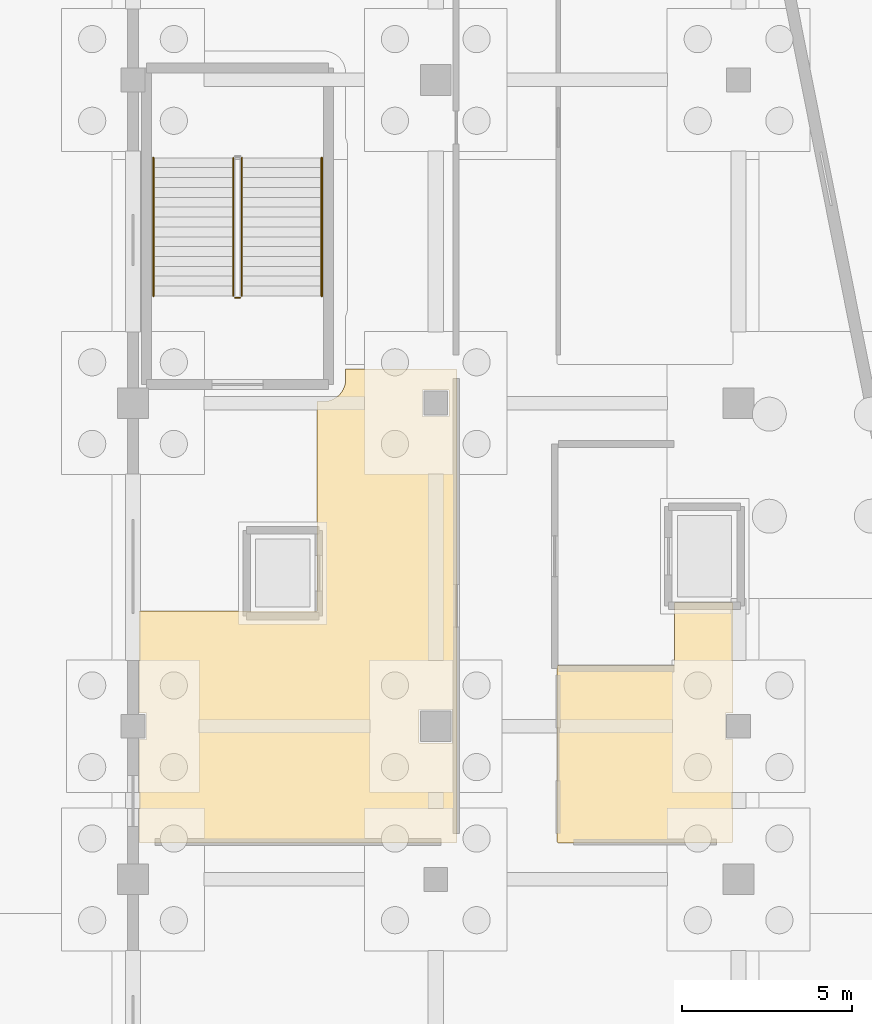
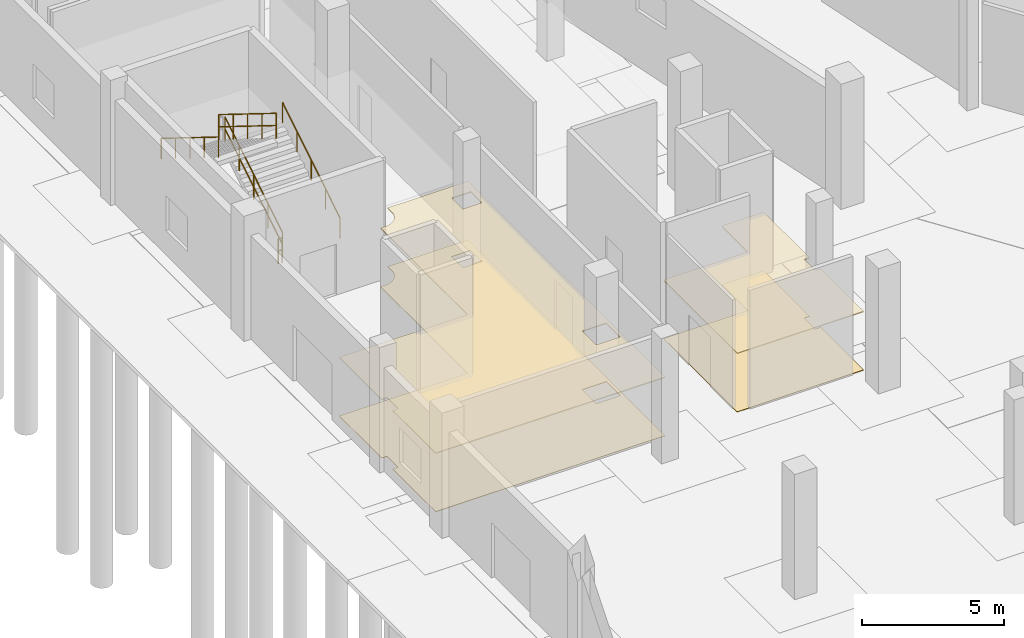
# One storey, part 47 of 68: 5 railings, 4 coverings.
"""IFC4 building model written with IfcOpenShell, lengths in metres."""

import ifcopenshell
import ifcopenshell.guid

model = None  # the IFC model being written
_history = None  # IfcOwnerHistory: only IFC2X3 demands one
_inside = {}  # id of a spatial element -> (the spatial element, [elements in it])
_under = {}  # id of a project, library or spatial element -> (it, [spatial elements below it])
_declared = {}  # id of a project -> (the project, [libraries it declares])
_typed = {}  # id of a type object -> (the type object, [elements of that type])
_made_of = {}  # id of a material, layer set ... -> (it, [elements and type objects made of it])


def new_model(schema):
    """Start an empty IFC model of exactly this schema.

    Asked for "IFC4X3", IfcOpenShell would pick the latest addendum, in which some entities
    have other attributes; the version numbers below select the first issue.
    IFC2X3 requires an IfcOwnerHistory on every rooted entity: one is made here for all.
    """
    global model, _history
    if schema == "IFC4X3":
        model = ifcopenshell.file(schema_version=(4, 3, 0, 0))
    else:
        model = ifcopenshell.file(schema=schema)
    _inside.clear()
    _under.clear()
    _declared.clear()
    _typed.clear()
    _made_of.clear()
    _history = None
    if model.schema == "IFC2X3":
        org = make("IfcOrganization", Name="unknown")
        user = make(
            "IfcPersonAndOrganization",
            ThePerson=make("IfcPerson", FamilyName="unknown"),
            TheOrganization=org,
        )
        app = make(
            "IfcApplication",
            ApplicationDeveloper=org,
            Version="unknown",
            ApplicationFullName="unknown",
            ApplicationIdentifier="unknown",
        )
        _history = make(
            "IfcOwnerHistory",
            OwningUser=user,
            OwningApplication=app,
            ChangeAction="ADDED",
            CreationDate=0,
        )
    return model


def make(cls, **values):
    """One entity of the class cls with the attributes given. An attribute that is None is left unset."""
    return model.create_entity(
        cls, **{name: value for name, value in values.items() if value is not None}
    )


def rooted(cls, **values):
    """An entity with a GlobalId (a new one), such as an element, a storey or a relation."""
    return make(cls, GlobalId=ifcopenshell.guid.new(), OwnerHistory=_history, **values)


def si_unit(unit_type, name, prefix=None):
    """IfcSIUnit, for example si_unit("LENGTHUNIT", "METRE", prefix="MILLI")."""
    return make("IfcSIUnit", UnitType=unit_type, Prefix=prefix, Name=name)


def assignment(units):
    """IfcUnitAssignment: the units of a project."""
    return None if units is None else make("IfcUnitAssignment", Units=units)


def point(xyz):
    """IfcCartesianPoint."""
    return None if xyz is None else make("IfcCartesianPoint", Coordinates=xyz)


def direction(xyz):
    """IfcDirection."""
    return None if xyz is None else make("IfcDirection", DirectionRatios=xyz)


def frame(location, z_axis=None, x_axis=None):
    """IfcAxis2Placement3D, a coordinate frame: its origin and axes. An axis left out is left unset."""
    return make(
        "IfcAxis2Placement3D",
        Location=point(location),
        Axis=direction(z_axis),
        RefDirection=direction(x_axis),
    )


def frame_2d(location, x_axis=None):
    """IfcAxis2Placement2D, a coordinate frame in the plane: its origin and x axis."""
    return make(
        "IfcAxis2Placement2D", Location=point(location), RefDirection=direction(x_axis)
    )


def origin():
    """The frame at (0, 0, 0) with its axes left unset."""
    return frame((0.0, 0.0, 0.0))


def origin_2d():
    """The frame at (0, 0) in the plane with its x axis left unset."""
    return frame_2d((0.0, 0.0))


def place(relative_to, where):
    """IfcLocalPlacement: puts the frame where relative to a parent placement (None: the world)."""
    return make(
        "IfcLocalPlacement", PlacementRelTo=relative_to, RelativePlacement=where
    )


def context(
    kind, dimensions, precision=None, world=None, true_north=None, identifier=None
):
    """IfcGeometricRepresentationContext, for example the 3D "Model" context."""
    return make(
        "IfcGeometricRepresentationContext",
        ContextIdentifier=identifier,
        ContextType=kind,
        CoordinateSpaceDimension=dimensions,
        Precision=precision,
        WorldCoordinateSystem=world,
        TrueNorth=true_north,
    )


def subcontext(parent, identifier, kind, view, scale=None):
    """IfcGeometricRepresentationSubContext, for example "Body" below "Model"."""
    return make(
        "IfcGeometricRepresentationSubContext",
        ContextIdentifier=identifier,
        ContextType=kind,
        ParentContext=parent,
        TargetScale=scale,
        TargetView=view,
    )


def project(units=None, contexts=None):
    """IfcProject with its units and contexts."""
    return rooted(
        "IfcProject",
        Name="project",
        RepresentationContexts=contexts,
        UnitsInContext=assignment(units),
    )


def spatial(cls, under=None, at=None, **own):
    """A site, building, storey or space (cls), placed at a placement, below another one or the project."""
    s = rooted(cls, ObjectPlacement=at, **own)
    if under is not None:
        _under.setdefault(under.id(), (under, []))[1].append(s)
    return s


def polyline(points):
    """IfcPolyline through the points."""
    return make("IfcPolyline", Points=[point(p) for p in points])


def profile(cls, at=None, kind="AREA", **sizes):
    """A parametric profile (cls). Its sizes go by their IFC names, for example OverallWidth=200.0."""
    return make(cls, ProfileType=kind, Position=at, **sizes)


def circle(**sizes):
    """IfcCircleProfileDef."""
    return profile("IfcCircleProfileDef", **sizes)


def outline(outer, holes=None, kind="AREA"):
    """IfcArbitraryClosedProfileDef: a profile drawn as a closed curve; with holes, ...WithVoids."""
    if holes is None:
        return make("IfcArbitraryClosedProfileDef", ProfileType=kind, OuterCurve=outer)
    return make(
        "IfcArbitraryProfileDefWithVoids",
        ProfileType=kind,
        OuterCurve=outer,
        InnerCurves=holes,
    )


def extrude(swept, where, along, depth):
    """IfcExtrudedAreaSolid: the profile swept, set in the frame where, extruded along a direction by depth."""
    return make(
        "IfcExtrudedAreaSolid",
        SweptArea=swept,
        Position=where,
        ExtrudedDirection=direction(along),
        Depth=depth,
    )


def shape(context_of_items, identifier, shape_type, items):
    """IfcShapeRepresentation: the items that make up one representation, for example the "Body"."""
    return make(
        "IfcShapeRepresentation",
        ContextOfItems=context_of_items,
        RepresentationIdentifier=identifier,
        RepresentationType=shape_type,
        Items=items,
    )


def material(Name=None, Category=None):
    """IfcMaterial."""
    return make("IfcMaterial", Name=Name, Category=Category)


def layer(
    of_material, thickness, ventilated=None, Name=None, Category=None, Priority=None
):
    """IfcMaterialLayer: one layer of a wall or slab, of a material (None: an air gap)."""
    return make(
        "IfcMaterialLayer",
        Material=of_material,
        LayerThickness=thickness,
        IsVentilated=ventilated,
        Name=Name,
        Category=Category,
        Priority=Priority,
    )


def layer_set(layers, Name=None):
    """IfcMaterialLayerSet."""
    return make("IfcMaterialLayerSet", MaterialLayers=layers, LayerSetName=Name)


def made_of(thing, what):
    """Note that an element or type object is made of a material, layer set ...; save() writes the relation."""
    if what is not None:
        _made_of.setdefault(what.id(), (what, []))[1].append(thing)
    return thing


def type_object(cls, material=None, **own):
    """A type object (cls), such as IfcWallType, which elements share."""
    return made_of(rooted(cls, **own), material)


def element(
    cls,
    number,
    at=None,
    inside=None,
    cuts=None,
    type_object=None,
    material=None,
    context=None,
    identifier="Body",
    shape_type=None,
    held_by="IfcProductDefinitionShape",
    body=None,
    shapes=None,
    **own,
):
    """One element of the class cls, such as IfcWall. Its Tag is "e" and its number.

    at: its placement. inside: the storey or other place that contains it. cuts: it is an
    opening in that element (IfcRelVoidsElement). A single representation is given by context,
    identifier, shape_type and body (its items); several are given by shapes. held_by: the class
    of the entity that holds the representations. save() writes the other relations.
    """
    e = rooted(cls, Tag="e%d" % number, ObjectPlacement=at, **own)
    if body is not None:
        shapes = [shape(context, identifier, shape_type, body)]
    if shapes is not None:
        e.Representation = make(held_by, Representations=shapes)
    if inside is not None:
        _inside.setdefault(inside.id(), (inside, []))[1].append(e)
    if cuts is not None:
        rooted(
            "IfcRelVoidsElement", RelatingBuildingElement=cuts, RelatedOpeningElement=e
        )
    if type_object is not None:
        _typed.setdefault(type_object.id(), (type_object, []))[1].append(e)
    return made_of(e, material)


def aggregate(whole, parts):
    """IfcRelAggregates: a whole, such as a stair, and the parts it consists of."""
    return rooted("IfcRelAggregates", RelatingObject=whole, RelatedObjects=parts)


def save(model, path):
    """Write the relations noted so far, then the file.

    IfcRelAggregates (storeys below a building ...), IfcRelContainedInSpatialStructure (elements
    in a storey), IfcRelDefinesByType, IfcRelAssociatesMaterial and IfcRelDeclares: one each for
    every whole, place, type object, material and project.
    """
    for whole, parts in _under.values():
        aggregate(whole, parts)
    for where, things in _inside.values():
        rooted(
            "IfcRelContainedInSpatialStructure",
            RelatedElements=things,
            RelatingStructure=where,
        )
    for kind, things in _typed.values():
        rooted("IfcRelDefinesByType", RelatedObjects=things, RelatingType=kind)
    for what, things in _made_of.values():
        rooted("IfcRelAssociatesMaterial", RelatedObjects=things, RelatingMaterial=what)
    for by, libraries in _declared.values():
        rooted("IfcRelDeclares", RelatingContext=by, RelatedDefinitions=libraries)
    model.write(path)


model = new_model("IFC4")

# Units and contexts
model_context = context("Model", 3, precision=1e-05, world=origin(), true_north=direction((0.0, 1.0)))
body_context = subcontext(model_context, "Body", "Model", "MODEL_VIEW")
ifc_project = project(units=[si_unit("LENGTHUNIT", "METRE"), si_unit("AREAUNIT", "SQUARE_METRE"), si_unit("VOLUMEUNIT", "CUBIC_METRE"), si_unit("PLANEANGLEUNIT", "RADIAN"), si_unit("MASSUNIT", "GRAM", prefix="KILO")], contexts=[model_context])

# Site, building, storey
site_placement = place(None, origin())
site = spatial("IfcSite", under=ifc_project, at=site_placement, CompositionType="ELEMENT")
building_placement = place(site_placement, origin())
building = spatial("IfcBuilding", under=site, at=building_placement, Name="Candeia Ridge Stadium", CompositionType="ELEMENT")
storey_placement = place(building_placement, origin())
storey = spatial("IfcBuildingStorey", under=building, at=storey_placement, Name="L00", CompositionType="ELEMENT", Elevation=0.0)

# Coverings
ifc_material_1 = material(Name="Perforated Acoustic Gypsum", Category="gypsum")
ifc_layer_1 = layer(ifc_material_1, 0.034912109375, Name="Perforated Acoustic Gypsum", Category="gypsum")
ifc_layer_set_1 = layer_set([ifc_layer_1], Name="Perforated Acoustic Gypsum")
covering_type_1 = type_object("IfcCoveringType", Name="Perforated Gypsum Acoustic Ceiling 35", PredefinedType="CEILING", material=ifc_layer_set_1)
covering_1_placement = place(storey_placement, frame((0.0, 0.0, 2.510009765625)))
element("IfcCovering", 1, at=covering_1_placement, inside=storey, type_object=covering_type_1, Name="Acoustic ceiling Fire Command and Stadium Control Room", PredefinedType="CEILING", context=body_context, shape_type="SweptSolid", body=[
    extrude(outline(polyline([(10.10595703125, 55.49951171875), (10.108642578125, 55.498779296875), (10.111572265625, 55.497802734375), (10.114013671875, 55.49658203125), (10.11669921875, 55.494873046875), (10.118896484375, 55.4931640625), (10.12109375, 55.4912109375), (10.123291015625, 55.489013671875), (10.125, 55.48681640625), (10.12646484375, 55.484130859375), (10.127685546875, 55.4814453125), (10.128662109375, 55.478759765625), (10.12939453125, 55.475830078125), (10.1298828125, 55.472900390625), (10.1298828125, 55.469970703125), (10.1298828125, 41.60400390625), (10.1298828125, 41.60107421875), (10.12939453125, 41.59814453125), (10.128662109375, 41.59521484375), (10.127685546875, 41.592529296875), (10.12646484375, 41.58984375), (10.125, 41.58740234375), (10.123291015625, 41.5849609375), (10.12109375, 41.582763671875), (10.118896484375, 41.580810546875), (10.11669921875, 41.5791015625), (10.114013671875, 41.577392578125), (10.111572265625, 41.576416015625), (10.108642578125, 41.5751953125), (10.10595703125, 41.57470703125), (10.102783203125, 41.57421875), (10.10009765625, 41.573974609375), (0.800048828125, 41.573974609375), (0.797119140625, 41.57421875), (0.794189453125, 41.57470703125), (0.791259765625, 41.5751953125), (0.78857421875, 41.576416015625), (0.785888671875, 41.577392578125), (0.783203125, 41.5791015625), (0.781005859375, 41.580810546875), (0.77880859375, 41.582763671875), (0.77685546875, 41.5849609375), (0.775146484375, 41.58740234375), (0.7734375, 41.58984375), (0.772216796875, 41.592529296875), (0.771240234375, 41.59521484375), (0.7705078125, 41.59814453125), (0.77001953125, 41.60107421875), (0.77001953125, 41.60400390625), (0.77001953125, 44.610107421875), (0.989990234375, 44.610107421875), (0.989990234375, 45.389892578125), (0.77001953125, 45.389892578125), (0.77001953125, 48.360107421875), (0.77001953125, 48.36279296875), (0.7705078125, 48.365966796875), (0.771240234375, 48.36865234375), (0.772216796875, 48.37158203125), (0.7734375, 48.3740234375), (0.775146484375, 48.376708984375), (0.77685546875, 48.37890625), (0.77880859375, 48.381103515625), (0.781005859375, 48.38330078125), (0.783203125, 48.385009765625), (0.785888671875, 48.386474609375), (0.78857421875, 48.3876953125), (0.791259765625, 48.388671875), (0.794189453125, 48.389404296875), (0.797119140625, 48.389892578125), (0.800048828125, 48.389892578125), (5.999267578125, 48.389892578125), (6.000732421875, 48.39013671875), (6.002197265625, 48.390380859375), (6.003173828125, 48.390380859375), (6.00390625, 48.390869140625), (6.004638671875, 48.39111328125), (6.00537109375, 48.3916015625), (6.00634765625, 48.392333984375), (6.007080078125, 48.392822265625), (6.0078125, 48.3935546875), (6.00830078125, 48.39453125), (6.0087890625, 48.395263671875), (6.00927734375, 48.39599609375), (6.009521484375, 48.39697265625), (6.009765625, 48.39794921875), (6.010009765625, 48.399169921875), (6.010009765625, 48.40087890625), (6.010009765625, 54.550048828125), (6.199951171875, 54.550048828125), (6.21728515625, 54.55029296875), (6.24658203125, 54.552001953125), (6.28076171875, 54.55517578125), (6.309814453125, 54.5595703125), (6.343505859375, 54.56640625), (6.3720703125, 54.573486328125), (6.405029296875, 54.58349609375), (6.4326171875, 54.59326171875), (6.46435546875, 54.6064453125), (6.4912109375, 54.618896484375), (6.521484375, 54.63525390625), (6.546630859375, 54.650390625), (6.5751953125, 54.66943359375), (6.598876953125, 54.68701171875), (6.62548828125, 54.708740234375), (6.647216796875, 54.728515625), (6.67138671875, 54.752685546875), (6.691162109375, 54.774658203125), (6.712890625, 54.80126953125), (6.730712890625, 54.82470703125), (6.74951171875, 54.853515625), (6.764892578125, 54.878662109375), (6.781005859375, 54.908935546875), (6.793701171875, 54.935546875), (6.806640625, 54.96728515625), (6.816650390625, 54.9951171875), (6.82666015625, 55.02783203125), (6.833740234375, 55.056396484375), (6.84033203125, 55.090087890625), (6.8447265625, 55.119140625), (6.84814453125, 55.1533203125), (6.849609375, 55.182861328125), (6.85009765625, 55.199951171875), (6.85009765625, 55.5), (10.10009765625, 55.5), (10.102783203125, 55.5), (10.10595703125, 55.49951171875)]), holes=[polyline([(9.989990234375, 45.489990234375), (9.010009765625, 45.489990234375), (9.010009765625, 44.510009765625), (9.989990234375, 44.510009765625), (9.989990234375, 45.489990234375)]), polyline([(9.110107421875, 54.889892578125), (9.110107421875, 54.110107421875), (9.889892578125, 54.110107421875), (9.889892578125, 54.889892578125), (9.110107421875, 54.889892578125)])]), origin(), (0.0, 0.0, 1.0), 0.0400390625),
])
covering_2_placement = place(storey_placement, frame((0.0, 0.0, 2.510009765625)))
element("IfcCovering", 2, at=covering_2_placement, inside=storey, type_object=covering_type_1, Name="Acoustic ceiling Fire Command and Stadium Control Room Annex", PredefinedType="CEILING", context=body_context, shape_type="SweptSolid", body=[
    extrude(outline(polyline([(18.2294921875, 41.59814453125), (18.228759765625, 41.59521484375), (18.227783203125, 41.592529296875), (18.2265625, 41.58984375), (18.224853515625, 41.58740234375), (18.22314453125, 41.5849609375), (18.22119140625, 41.582763671875), (18.218994140625, 41.580810546875), (18.216796875, 41.5791015625), (18.214111328125, 41.577392578125), (18.21142578125, 41.576416015625), (18.208740234375, 41.5751953125), (18.205810546875, 41.57470703125), (18.202880859375, 41.57421875), (18.199951171875, 41.573974609375), (13.10009765625, 41.573974609375), (13.09716796875, 41.57421875), (13.093994140625, 41.57470703125), (13.09130859375, 41.5751953125), (13.08837890625, 41.576416015625), (13.0859375, 41.577392578125), (13.083251953125, 41.5791015625), (13.0810546875, 41.580810546875), (13.078857421875, 41.582763671875), (13.076904296875, 41.5849609375), (13.0751953125, 41.58740234375), (13.073486328125, 41.58984375), (13.072265625, 41.592529296875), (13.0712890625, 41.59521484375), (13.070556640625, 41.59814453125), (13.070068359375, 41.60107421875), (13.070068359375, 41.60400390625), (13.070068359375, 46.760009765625), (13.070068359375, 46.762939453125), (13.070556640625, 46.765869140625), (13.0712890625, 46.768798828125), (13.072265625, 46.771484375), (13.073486328125, 46.774169921875), (13.0751953125, 46.776611328125), (13.076904296875, 46.779052734375), (13.078857421875, 46.78125), (13.0810546875, 46.783203125), (13.083251953125, 46.784912109375), (13.0859375, 46.78662109375), (13.08837890625, 46.78759765625), (13.09130859375, 46.788818359375), (13.093994140625, 46.789306640625), (13.09716796875, 46.789794921875), (13.10009765625, 46.7900390625), (16.499267578125, 46.7900390625), (16.500732421875, 46.7900390625), (16.502197265625, 46.790283203125), (16.503173828125, 46.79052734375), (16.50390625, 46.790771484375), (16.504638671875, 46.791259765625), (16.50537109375, 46.79150390625), (16.50634765625, 46.792236328125), (16.507080078125, 46.79296875), (16.5078125, 46.793701171875), (16.50830078125, 46.794677734375), (16.5087890625, 46.79541015625), (16.50927734375, 46.796142578125), (16.509521484375, 46.796875), (16.509765625, 46.7978515625), (16.510009765625, 46.79931640625), (16.510009765625, 46.80078125), (16.510009765625, 48.610107421875), (16.510009765625, 48.61279296875), (16.510498046875, 48.615966796875), (16.51123046875, 48.61865234375), (16.51220703125, 48.62158203125), (16.513427734375, 48.6240234375), (16.51513671875, 48.626708984375), (16.516845703125, 48.62890625), (16.518798828125, 48.631103515625), (16.52099609375, 48.63330078125), (16.523193359375, 48.635009765625), (16.52587890625, 48.636474609375), (16.528564453125, 48.6376953125), (16.53125, 48.638671875), (16.5341796875, 48.639404296875), (16.537109375, 48.639892578125), (16.5400390625, 48.639892578125), (18.199951171875, 48.639892578125), (18.202880859375, 48.639892578125), (18.205810546875, 48.639404296875), (18.208740234375, 48.638671875), (18.21142578125, 48.6376953125), (18.214111328125, 48.636474609375), (18.216796875, 48.635009765625), (18.218994140625, 48.63330078125), (18.22119140625, 48.631103515625), (18.22314453125, 48.62890625), (18.224853515625, 48.626708984375), (18.2265625, 48.6240234375), (18.227783203125, 48.62158203125), (18.228759765625, 48.61865234375), (18.2294921875, 48.615966796875), (18.22998046875, 48.61279296875), (18.22998046875, 48.610107421875), (18.22998046875, 45.389892578125), (18.010009765625, 45.389892578125), (18.010009765625, 44.610107421875), (18.22998046875, 44.610107421875), (18.22998046875, 41.60400390625), (18.22998046875, 41.60107421875), (18.2294921875, 41.59814453125)])), origin(), (0.0, 0.0, 1.0), 0.0400390625),
])
ifc_material_2 = material(Name="Basalt Terrazzo Finish", Category="masonry")
ifc_layer_2 = layer(ifc_material_2, 0.02490234375, Name="Basalt Terrazzo Finish", Category="masonry")
ifc_layer_set_2 = layer_set([ifc_layer_2], Name="Basalt Terrazzo Finish")
covering_type_2 = type_object("IfcCoveringType", Name="Polished Basalt Terrazzo Flooring 25", PredefinedType="FLOORING", material=ifc_layer_set_2)
covering_3_placement = place(storey_placement, origin())
element("IfcCovering", 3, at=covering_3_placement, inside=storey, type_object=covering_type_2, Name="Interior finish flooring Fire Command and Stadium Control Room", PredefinedType="FLOORING", context=body_context, shape_type="SweptSolid", body=[
    extrude(outline(polyline([(10.10595703125, 55.49951171875), (10.108642578125, 55.498779296875), (10.111572265625, 55.497802734375), (10.114013671875, 55.49658203125), (10.11669921875, 55.494873046875), (10.118896484375, 55.4931640625), (10.12109375, 55.4912109375), (10.123291015625, 55.489013671875), (10.125, 55.48681640625), (10.12646484375, 55.484130859375), (10.127685546875, 55.4814453125), (10.128662109375, 55.478759765625), (10.12939453125, 55.475830078125), (10.1298828125, 55.472900390625), (10.1298828125, 55.469970703125), (10.1298828125, 41.60400390625), (10.1298828125, 41.60107421875), (10.12939453125, 41.59814453125), (10.128662109375, 41.59521484375), (10.127685546875, 41.592529296875), (10.12646484375, 41.58984375), (10.125, 41.58740234375), (10.123291015625, 41.5849609375), (10.12109375, 41.582763671875), (10.118896484375, 41.580810546875), (10.11669921875, 41.5791015625), (10.114013671875, 41.577392578125), (10.111572265625, 41.576416015625), (10.108642578125, 41.5751953125), (10.10595703125, 41.57470703125), (10.102783203125, 41.57421875), (10.10009765625, 41.573974609375), (0.800048828125, 41.573974609375), (0.797119140625, 41.57421875), (0.794189453125, 41.57470703125), (0.791259765625, 41.5751953125), (0.78857421875, 41.576416015625), (0.785888671875, 41.577392578125), (0.783203125, 41.5791015625), (0.781005859375, 41.580810546875), (0.77880859375, 41.582763671875), (0.77685546875, 41.5849609375), (0.775146484375, 41.58740234375), (0.7734375, 41.58984375), (0.772216796875, 41.592529296875), (0.771240234375, 41.59521484375), (0.7705078125, 41.59814453125), (0.77001953125, 41.60107421875), (0.77001953125, 41.60400390625), (0.77001953125, 44.610107421875), (0.989990234375, 44.610107421875), (0.989990234375, 45.389892578125), (0.77001953125, 45.389892578125), (0.77001953125, 48.360107421875), (0.77001953125, 48.36279296875), (0.7705078125, 48.365966796875), (0.771240234375, 48.36865234375), (0.772216796875, 48.37158203125), (0.7734375, 48.3740234375), (0.775146484375, 48.376708984375), (0.77685546875, 48.37890625), (0.77880859375, 48.381103515625), (0.781005859375, 48.38330078125), (0.783203125, 48.385009765625), (0.785888671875, 48.386474609375), (0.78857421875, 48.3876953125), (0.791259765625, 48.388671875), (0.794189453125, 48.389404296875), (0.797119140625, 48.389892578125), (0.800048828125, 48.389892578125), (5.999267578125, 48.389892578125), (6.000732421875, 48.39013671875), (6.002197265625, 48.390380859375), (6.003173828125, 48.390380859375), (6.00390625, 48.390869140625), (6.004638671875, 48.39111328125), (6.00537109375, 48.3916015625), (6.00634765625, 48.392333984375), (6.007080078125, 48.392822265625), (6.0078125, 48.3935546875), (6.00830078125, 48.39453125), (6.0087890625, 48.395263671875), (6.00927734375, 48.39599609375), (6.009521484375, 48.39697265625), (6.009765625, 48.39794921875), (6.010009765625, 48.399169921875), (6.010009765625, 48.40087890625), (6.010009765625, 54.550048828125), (6.199951171875, 54.550048828125), (6.21728515625, 54.55029296875), (6.24658203125, 54.552001953125), (6.28076171875, 54.55517578125), (6.309814453125, 54.5595703125), (6.343505859375, 54.56640625), (6.3720703125, 54.573486328125), (6.405029296875, 54.58349609375), (6.4326171875, 54.59326171875), (6.46435546875, 54.6064453125), (6.4912109375, 54.618896484375), (6.521484375, 54.63525390625), (6.546630859375, 54.650390625), (6.5751953125, 54.66943359375), (6.598876953125, 54.68701171875), (6.62548828125, 54.708740234375), (6.647216796875, 54.728515625), (6.67138671875, 54.752685546875), (6.691162109375, 54.774658203125), (6.712890625, 54.80126953125), (6.730712890625, 54.82470703125), (6.74951171875, 54.853515625), (6.764892578125, 54.878662109375), (6.781005859375, 54.908935546875), (6.793701171875, 54.935546875), (6.806640625, 54.96728515625), (6.816650390625, 54.9951171875), (6.82666015625, 55.02783203125), (6.833740234375, 55.056396484375), (6.84033203125, 55.090087890625), (6.8447265625, 55.119140625), (6.84814453125, 55.1533203125), (6.849609375, 55.182861328125), (6.85009765625, 55.199951171875), (6.85009765625, 55.5), (10.10009765625, 55.5), (10.102783203125, 55.5), (10.10595703125, 55.49951171875)]), holes=[polyline([(9.989990234375, 45.489990234375), (9.010009765625, 45.489990234375), (9.010009765625, 44.510009765625), (9.989990234375, 44.510009765625), (9.989990234375, 45.489990234375)]), polyline([(9.110107421875, 54.889892578125), (9.110107421875, 54.110107421875), (9.889892578125, 54.110107421875), (9.889892578125, 54.889892578125), (9.110107421875, 54.889892578125)])]), origin(), (0.0, 0.0, 1.0), 0.02001953125),
])
covering_4_placement = place(storey_placement, origin())
element("IfcCovering", 4, at=covering_4_placement, inside=storey, type_object=covering_type_2, Name="Interior finish flooring Fire Command and Stadium Control Room Annex", PredefinedType="FLOORING", context=body_context, shape_type="SweptSolid", body=[
    extrude(outline(polyline([(18.2294921875, 41.59814453125), (18.228759765625, 41.59521484375), (18.227783203125, 41.592529296875), (18.2265625, 41.58984375), (18.224853515625, 41.58740234375), (18.22314453125, 41.5849609375), (18.22119140625, 41.582763671875), (18.218994140625, 41.580810546875), (18.216796875, 41.5791015625), (18.214111328125, 41.577392578125), (18.21142578125, 41.576416015625), (18.208740234375, 41.5751953125), (18.205810546875, 41.57470703125), (18.202880859375, 41.57421875), (18.199951171875, 41.573974609375), (13.10009765625, 41.573974609375), (13.09716796875, 41.57421875), (13.093994140625, 41.57470703125), (13.09130859375, 41.5751953125), (13.08837890625, 41.576416015625), (13.0859375, 41.577392578125), (13.083251953125, 41.5791015625), (13.0810546875, 41.580810546875), (13.078857421875, 41.582763671875), (13.076904296875, 41.5849609375), (13.0751953125, 41.58740234375), (13.073486328125, 41.58984375), (13.072265625, 41.592529296875), (13.0712890625, 41.59521484375), (13.070556640625, 41.59814453125), (13.070068359375, 41.60107421875), (13.070068359375, 41.60400390625), (13.070068359375, 46.760009765625), (13.070068359375, 46.762939453125), (13.070556640625, 46.765869140625), (13.0712890625, 46.768798828125), (13.072265625, 46.771484375), (13.073486328125, 46.774169921875), (13.0751953125, 46.776611328125), (13.076904296875, 46.779052734375), (13.078857421875, 46.78125), (13.0810546875, 46.783203125), (13.083251953125, 46.784912109375), (13.0859375, 46.78662109375), (13.08837890625, 46.78759765625), (13.09130859375, 46.788818359375), (13.093994140625, 46.789306640625), (13.09716796875, 46.789794921875), (13.10009765625, 46.7900390625), (16.499267578125, 46.7900390625), (16.500732421875, 46.7900390625), (16.502197265625, 46.790283203125), (16.503173828125, 46.79052734375), (16.50390625, 46.790771484375), (16.504638671875, 46.791259765625), (16.50537109375, 46.79150390625), (16.50634765625, 46.792236328125), (16.507080078125, 46.79296875), (16.5078125, 46.793701171875), (16.50830078125, 46.794677734375), (16.5087890625, 46.79541015625), (16.50927734375, 46.796142578125), (16.509521484375, 46.796875), (16.509765625, 46.7978515625), (16.510009765625, 46.79931640625), (16.510009765625, 46.80078125), (16.510009765625, 48.610107421875), (16.510009765625, 48.61279296875), (16.510498046875, 48.615966796875), (16.51123046875, 48.61865234375), (16.51220703125, 48.62158203125), (16.513427734375, 48.6240234375), (16.51513671875, 48.626708984375), (16.516845703125, 48.62890625), (16.518798828125, 48.631103515625), (16.52099609375, 48.63330078125), (16.523193359375, 48.635009765625), (16.52587890625, 48.636474609375), (16.528564453125, 48.6376953125), (16.53125, 48.638671875), (16.5341796875, 48.639404296875), (16.537109375, 48.639892578125), (16.5400390625, 48.639892578125), (18.199951171875, 48.639892578125), (18.202880859375, 48.639892578125), (18.205810546875, 48.639404296875), (18.208740234375, 48.638671875), (18.21142578125, 48.6376953125), (18.214111328125, 48.636474609375), (18.216796875, 48.635009765625), (18.218994140625, 48.63330078125), (18.22119140625, 48.631103515625), (18.22314453125, 48.62890625), (18.224853515625, 48.626708984375), (18.2265625, 48.6240234375), (18.227783203125, 48.62158203125), (18.228759765625, 48.61865234375), (18.2294921875, 48.615966796875), (18.22998046875, 48.61279296875), (18.22998046875, 48.610107421875), (18.22998046875, 45.389892578125), (18.010009765625, 45.389892578125), (18.010009765625, 44.610107421875), (18.22998046875, 44.610107421875), (18.22998046875, 41.60400390625), (18.22998046875, 41.60107421875), (18.2294921875, 41.59814453125)])), origin(), (0.0, 0.0, 1.0), 0.02001953125),
])

# Railings
ifc_material_3 = material(Name="Brushed Stainless Steel", Category="steel")
ifc_layer_3 = layer(ifc_material_3, 0.048095703125, Name="Brushed Stainless Steel", Category="steel")
ifc_layer_set_3 = layer_set([ifc_layer_3], Name="Brushed Stainless Steel")
railing_type_1 = type_object("IfcRailingType", Name="Stair Wall & Flight Handrail 900", PredefinedType="HANDRAIL", material=ifc_layer_set_3)
railing_1_placement = place(storey_placement, frame((6.14990234375, 57.64990234375, 0.179931640625)))
element("IfcRailing", 5, at=railing_1_placement, inside=storey, type_object=railing_type_1, Name="L00 ST05 stair handrail 1", PredefinedType="HANDRAIL", context=body_context, shape_type="SweptSolid", body=[
    extrude(circle(Radius=0.02392578125, at=origin_2d()), frame((0.0, 0.0, 0.8759765625), z_axis=(0.0, 0.849641744969, 0.527360318194), x_axis=(-1.0, 0.0, 0.0)), (0.0, 0.0, 1.0), 4.778564453125),
    extrude(circle(Radius=0.02099609375, at=origin_2d()), origin(), (0.0, 0.0, 1.0), 0.851806640625),
    extrude(circle(Radius=0.02099609375, at=origin_2d()), frame((0.0, 1.01513671875, 0.6298828125)), (0.0, 0.0, 1.0), 0.851806640625),
    extrude(circle(Radius=0.02099609375, at=origin_2d()), frame((0.0, 2.030029296875, 1.260009765625)), (0.0, 0.0, 1.0), 0.851806640625),
    extrude(circle(Radius=0.02099609375, at=origin_2d()), frame((0.0, 3.044921875, 1.89013671875)), (0.0, 0.0, 1.0), 0.851806640625),
    extrude(circle(Radius=0.02099609375, at=origin_2d()), frame((0.0, 4.06005859375, 2.52001953125)), (0.0, 0.0, 1.0), 0.851806640625),
])
railing_2_placement = place(storey_placement, frame((1.199951171875, 61.7099609375, 2.8798828125)))
element("IfcRailing", 6, at=railing_2_placement, inside=storey, type_object=railing_type_1, Name="L00 ST05 stair handrail 2", PredefinedType="HANDRAIL", context=body_context, shape_type="SweptSolid", body=[
    extrude(circle(Radius=0.02392578125, at=origin_2d()), frame((0.0, 0.0, 0.8759765625), z_axis=(0.0, -0.849641744969, 0.527360318194), x_axis=(1.0, 0.0, 0.0)), (0.0, 0.0, 1.0), 4.778564453125),
    extrude(circle(Radius=0.02099609375, at=origin_2d()), origin(), (0.0, 0.0, 1.0), 0.851806640625),
    extrude(circle(Radius=0.02099609375, at=origin_2d()), frame((0.0, -1.01513671875, 0.6298828125)), (0.0, 0.0, 1.0), 0.851806640625),
    extrude(circle(Radius=0.02099609375, at=origin_2d()), frame((0.0, -2.030029296875, 1.260009765625)), (0.0, 0.0, 1.0), 0.851806640625),
    extrude(circle(Radius=0.02099609375, at=origin_2d()), frame((0.0, -3.044921875, 1.89013671875)), (0.0, 0.0, 1.0), 0.851806640625),
    extrude(circle(Radius=0.02099609375, at=origin_2d()), frame((0.0, -4.06005859375, 2.52001953125)), (0.0, 0.0, 1.0), 0.851806640625),
])
ifc_material_4 = material(Name="Galvanized Powder-Coated Steel", Category="steel")
ifc_layer_4 = layer(ifc_material_4, 0.06005859375, Name="Galvanized Powder-Coated Steel", Category="steel")
ifc_layer_set_4 = layer_set([ifc_layer_4], Name="Galvanized Powder-Coated Steel")
railing_type_2 = type_object("IfcRailingType", Name="Stair Well Guardrail 1100", PredefinedType="GUARDRAIL", material=ifc_layer_set_4)
railing_3_placement = place(storey_placement, frame((3.800048828125, 57.64990234375, 0.179931640625)))
element("IfcRailing", 7, at=railing_3_placement, inside=storey, type_object=railing_type_2, Name="L00 ST05 stair guard 1", PredefinedType="GUARDRAIL", context=body_context, shape_type="SweptSolid", body=[
    extrude(circle(Radius=0.02392578125, at=origin_2d()), frame((0.0, 0.0, 1.076171875), z_axis=(0.0, 0.849641744969, 0.527360318194), x_axis=(-1.0, 0.0, 0.0)), (0.0, 0.0, 1.0), 4.778564453125),
    extrude(circle(Radius=0.02392578125, at=origin_2d()), frame((0.0, 0.0, 0.550048828125), z_axis=(0.0, 0.849641744969, 0.527360318194), x_axis=(-1.0, 0.0, 0.0)), (0.0, 0.0, 1.0), 4.778564453125),
    extrude(circle(Radius=0.02099609375, at=origin_2d()), origin(), (0.0, 0.0, 1.0), 1.052001953125),
    extrude(circle(Radius=0.02099609375, at=origin_2d()), frame((0.0, 1.01513671875, 0.6298828125)), (0.0, 0.0, 1.0), 1.052001953125),
    extrude(circle(Radius=0.02099609375, at=origin_2d()), frame((0.0, 2.030029296875, 1.260009765625)), (0.0, 0.0, 1.0), 1.052001953125),
    extrude(circle(Radius=0.02099609375, at=origin_2d()), frame((0.0, 3.044921875, 1.89013671875)), (0.0, 0.0, 1.0), 1.052001953125),
    extrude(circle(Radius=0.02099609375, at=origin_2d()), frame((0.0, 4.06005859375, 2.52001953125)), (0.0, 0.0, 1.0), 1.052001953125),
])
railing_4_placement = place(storey_placement, frame((3.550048828125, 61.7099609375, 2.8798828125)))
element("IfcRailing", 8, at=railing_4_placement, inside=storey, type_object=railing_type_2, Name="L00 ST05 stair guard 3", PredefinedType="GUARDRAIL", context=body_context, shape_type="SweptSolid", body=[
    extrude(circle(Radius=0.02392578125, at=origin_2d()), frame((0.0, 0.0, 1.076171875), z_axis=(0.0, -0.849641744969, 0.527360318194), x_axis=(1.0, 0.0, 0.0)), (0.0, 0.0, 1.0), 4.778564453125),
    extrude(circle(Radius=0.02392578125, at=origin_2d()), frame((0.0, 0.0, 0.550048828125), z_axis=(0.0, -0.849641744969, 0.527360318194), x_axis=(1.0, 0.0, 0.0)), (0.0, 0.0, 1.0), 4.778564453125),
    extrude(circle(Radius=0.02099609375, at=origin_2d()), origin(), (0.0, 0.0, 1.0), 1.052001953125),
    extrude(circle(Radius=0.02099609375, at=origin_2d()), frame((0.0, -1.01513671875, 0.6298828125)), (0.0, 0.0, 1.0), 1.052001953125),
    extrude(circle(Radius=0.02099609375, at=origin_2d()), frame((0.0, -2.030029296875, 1.260009765625)), (0.0, 0.0, 1.0), 1.052001953125),
    extrude(circle(Radius=0.02099609375, at=origin_2d()), frame((0.0, -3.044921875, 1.89013671875)), (0.0, 0.0, 1.0), 1.052001953125),
    extrude(circle(Radius=0.02099609375, at=origin_2d()), frame((0.0, -4.06005859375, 2.52001953125)), (0.0, 0.0, 1.0), 1.052001953125),
])
railing_5_placement = place(storey_placement, frame((3.75, 57.60009765625, 0.0)))
element("IfcRailing", 9, at=railing_5_placement, inside=storey, type_object=railing_type_2, Name="L00 ST05 stair guard 4", PredefinedType="GUARDRAIL", context=body_context, shape_type="SweptSolid", body=[
    extrude(circle(Radius=0.02392578125, at=origin_2d()), frame((0.0, 0.0, 1.076171875), z_axis=(-1.0, 0.0, 0.0), x_axis=(0.0, -1.0, 0.0)), (0.0, 0.0, 1.0), 0.14990234375),
    extrude(circle(Radius=0.02392578125, at=origin_2d()), frame((0.0, 0.0, 0.550048828125), z_axis=(-1.0, 0.0, 0.0), x_axis=(0.0, -1.0, 0.0)), (0.0, 0.0, 1.0), 0.14990234375),
    extrude(circle(Radius=0.02099609375, at=origin_2d()), origin(), (0.0, 0.0, 1.0), 1.052001953125),
    extrude(circle(Radius=0.02099609375, at=origin_2d()), frame((-0.14990234375, 0.0, 0.0)), (0.0, 0.0, 1.0), 1.052001953125),
])

save(model, "model.ifc")
